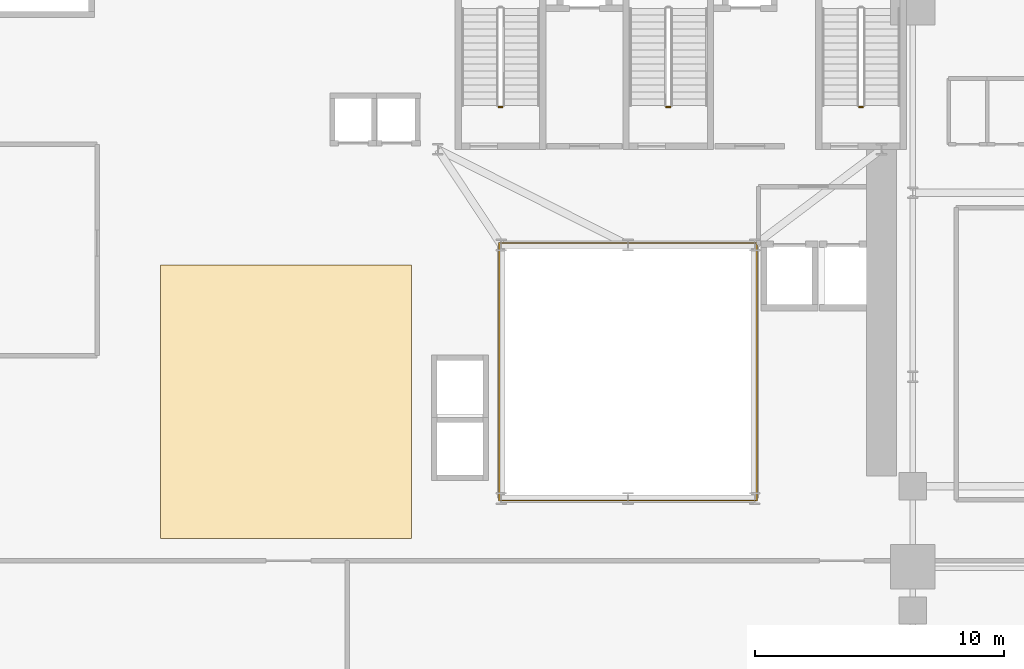
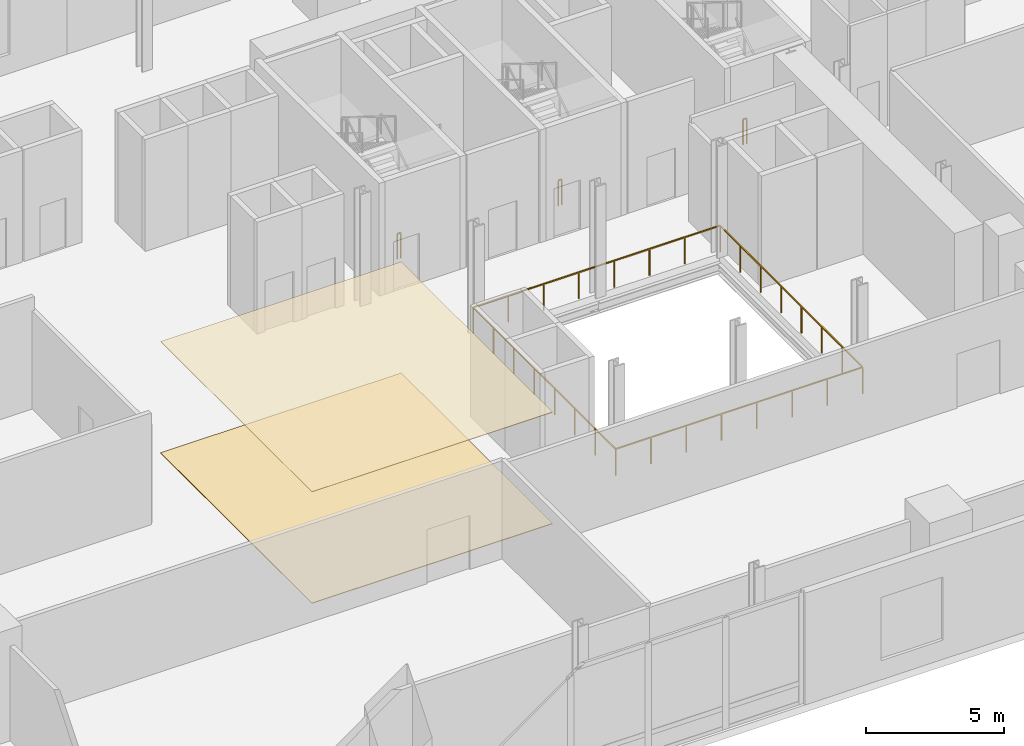
# One storey, part 11 of 13: 4 railings, 2 coverings.
"""IFC4 building model written with IfcOpenShell, lengths in metres."""

from ifc_helpers import new_model, si_unit, direction, frame, origin, origin_2d, place, context, subcontext, project, spatial, polyline, rectangle, outline, extrude, source, transform, mapped, material, layer, layer_set, type_object, element, save


model = new_model("IFC4")

# Units and contexts
model_context = context("Model", 3, precision=1e-05, world=origin(), true_north=direction((0.0, 1.0)))
body_context = subcontext(model_context, "Body", "Model", "MODEL_VIEW")
ifc_project = project(units=[si_unit("LENGTHUNIT", "METRE"), si_unit("AREAUNIT", "SQUARE_METRE"), si_unit("VOLUMEUNIT", "CUBIC_METRE"), si_unit("PLANEANGLEUNIT", "RADIAN"), si_unit("MASSUNIT", "GRAM", prefix="KILO")], contexts=[model_context])

# Site, building, storey
site_placement = place(None, origin())
site = spatial("IfcSite", under=ifc_project, at=site_placement, CompositionType="ELEMENT")
building_placement = place(site_placement, origin())
building = spatial("IfcBuilding", under=site, at=building_placement, Name="Vardaveli Station Tower", CompositionType="ELEMENT")
storey_placement = place(building_placement, frame((0.0, 0.0, 22.39990234375)))
storey = spatial("IfcBuildingStorey", under=building, at=storey_placement, Name="L05", CompositionType="ELEMENT", Elevation=22.39990234375)

# Coverings
ifc_material_1 = material(Name="Perforated acoustic mineral ceiling")
ifc_layer_1 = layer(ifc_material_1, 0.02001953125, Name="Perforated acoustic mineral ceiling")
ifc_layer_set_1 = layer_set([ifc_layer_1], Name="Perforated acoustic mineral ceiling")
covering_type_1 = type_object("IfcCoveringType", Name="COV-CEIL-AC20", PredefinedType="CEILING", material=ifc_layer_set_1)
covering_1_placement = place(storey_placement, frame((0.0, 0.0, 4.945068359375)))
element("IfcCovering", 1, at=covering_1_placement, inside=storey, type_object=covering_type_1, Name="CEIL-L05-1", PredefinedType="CEILING", context=body_context, shape_type="SweptSolid", body=[
    extrude(outline(polyline([(17.5, 15.0), (27.60009765625, 15.0), (27.60009765625, 26.0), (17.5, 26.0), (17.5, 15.0)])), origin(), (0.0, 0.0, 1.0), 0.02001953125),
])
ifc_material_2 = material(Name="Honed Caucasian basalt and travertine flooring", Category="masonry")
ifc_layer_2 = layer(ifc_material_2, 0.030029296875, Name="Honed Caucasian basalt and travertine flooring")
ifc_layer_set_2 = layer_set([ifc_layer_2], Name="Honed Caucasian basalt and travertine flooring")
covering_type_2 = type_object("IfcCoveringType", Name="COV-FLOOR-ST30", PredefinedType="FLOORING", material=ifc_layer_set_2)
covering_2_placement = place(storey_placement, origin())
element("IfcCovering", 2, at=covering_2_placement, inside=storey, type_object=covering_type_2, Name="FLR-L05-1", PredefinedType="FLOORING", context=body_context, shape_type="SweptSolid", body=[
    extrude(outline(polyline([(17.5, 15.0), (27.60009765625, 15.0), (27.60009765625, 26.0), (17.5, 26.0), (17.5, 15.0)])), origin(), (0.0, 0.0, 1.0), 0.030029296875),
])

# Railings
ifc_material_3 = material(Name="Brushed AISI 316 stainless steel", Category="steel")
railing_type_1 = type_object("IfcRailingType", Name="RL-GUARD-1150", PredefinedType="GUARDRAIL", material=ifc_material_3)
shared_shape_1 = source(origin(), body_context, "Body", "SweptSolid", [
    extrude(rectangle(XDim=0.048095703125, YDim=0.048095703125, at=origin_2d()), frame((0.0, 0.0, 1.1259765625), z_axis=(-1.0, 0.0, 0.0), x_axis=(0.0, -1.0, 0.0)), (0.0, 0.0, 1.0), 0.14990234375),
    extrude(rectangle(XDim=0.0419921875, YDim=0.0419921875, at=origin_2d()), origin(), (0.0, 0.0, 1.0), 1.101806640625),
    extrude(rectangle(XDim=0.0419921875, YDim=0.0419921875, at=origin_2d()), frame((-0.14990234375, 0.0, 0.0)), (0.0, 0.0, 1.0), 1.101806640625),
])
for number, where, name in (
    (3, (31.25, 32.35009765625, 0.0), "L05 ST-1 stair guard 4"),
    (4, (38.0, 32.35009765625, 0.0), "L05 ST-2 stair guard 4"),
    (5, (45.75, 32.35009765625, 0.0), "L05 ST-3 stair guard 4"),
):
    element("IfcRailing", number, at=place(storey_placement, frame(where)), inside=storey, type_object=railing_type_1, Name=name, PredefinedType="GUARDRAIL", context=body_context, shape_type="MappedRepresentation", body=[
        mapped(shared_shape_1, transform((0.0, 0.0, 0.0), scale=1.0)),
    ])
ifc_material_4 = material(Name="Laminated glass and stainless steel balustrade", Category="steel")
railing_type_2 = type_object("IfcRailingType", Name="RL-BAL-1200", PredefinedType="BALUSTRADE", material=ifc_material_4)
shared_shape_2 = source(origin(), body_context, "Body", "SweptSolid", [
    extrude(rectangle(XDim=0.048095703125, YDim=0.048095703125, at=origin_2d()), frame((0.0, 0.0, 1.17578125), z_axis=(1.0, 0.0, 0.0), x_axis=(0.0, 1.0, 0.0)), (0.0, 0.0, 1.0), 10.35986328125),
    extrude(rectangle(XDim=0.048095703125, YDim=0.048095703125, at=origin_2d()), frame((10.35986328125, 0.0, 1.17578125), z_axis=(0.0, 1.0, 0.0), x_axis=(-1.0, 0.0, 0.0)), (0.0, 0.0, 1.0), 10.35986328125),
    extrude(rectangle(XDim=0.048095703125, YDim=0.048095703125, at=origin_2d()), frame((10.35986328125, 10.35986328125, 1.17578125), z_axis=(-1.0, 0.0, 0.0), x_axis=(0.0, -1.0, 0.0)), (0.0, 0.0, 1.0), 10.35986328125),
    extrude(rectangle(XDim=0.048095703125, YDim=0.048095703125, at=origin_2d()), frame((0.0, 10.35986328125, 1.17578125), z_axis=(0.0, -1.0, 0.0), x_axis=(1.0, 0.0, 0.0)), (0.0, 0.0, 1.0), 10.35986328125),
    extrude(rectangle(XDim=0.0419921875, YDim=0.0419921875, at=origin_2d()), origin(), (0.0, 0.0, 1.0), 1.15185546875),
    extrude(rectangle(XDim=0.0419921875, YDim=0.0419921875, at=origin_2d()), frame((1.47998046875, 0.0, 0.0)), (0.0, 0.0, 1.0), 1.15185546875),
    extrude(rectangle(XDim=0.0419921875, YDim=0.0419921875, at=origin_2d()), frame((2.9599609375, 0.0, 0.0)), (0.0, 0.0, 1.0), 1.15185546875),
    extrude(rectangle(XDim=0.0419921875, YDim=0.0419921875, at=origin_2d()), frame((4.43994140625, 0.0, 0.0)), (0.0, 0.0, 1.0), 1.15185546875),
    extrude(rectangle(XDim=0.0419921875, YDim=0.0419921875, at=origin_2d()), frame((5.919921875, 0.0, 0.0)), (0.0, 0.0, 1.0), 1.15185546875),
    extrude(rectangle(XDim=0.0419921875, YDim=0.0419921875, at=origin_2d()), frame((7.39990234375, 0.0, 0.0)), (0.0, 0.0, 1.0), 1.15185546875),
    extrude(rectangle(XDim=0.0419921875, YDim=0.0419921875, at=origin_2d()), frame((8.8798828125, 0.0, 0.0)), (0.0, 0.0, 1.0), 1.15185546875),
    extrude(rectangle(XDim=0.0419921875, YDim=0.0419921875, at=origin_2d()), frame((10.35986328125, 0.0, 0.0)), (0.0, 0.0, 1.0), 1.15185546875),
    extrude(rectangle(XDim=0.0419921875, YDim=0.0419921875, at=origin_2d()), frame((10.35986328125, 1.47998046875, 0.0)), (0.0, 0.0, 1.0), 1.15185546875),
    extrude(rectangle(XDim=0.0419921875, YDim=0.0419921875, at=origin_2d()), frame((10.35986328125, 2.9599609375, 0.0)), (0.0, 0.0, 1.0), 1.15185546875),
    extrude(rectangle(XDim=0.0419921875, YDim=0.0419921875, at=origin_2d()), frame((10.35986328125, 4.43994140625, 0.0)), (0.0, 0.0, 1.0), 1.15185546875),
    extrude(rectangle(XDim=0.0419921875, YDim=0.0419921875, at=origin_2d()), frame((10.35986328125, 5.919921875, 0.0)), (0.0, 0.0, 1.0), 1.15185546875),
    extrude(rectangle(XDim=0.0419921875, YDim=0.0419921875, at=origin_2d()), frame((10.35986328125, 7.39990234375, 0.0)), (0.0, 0.0, 1.0), 1.15185546875),
    extrude(rectangle(XDim=0.0419921875, YDim=0.0419921875, at=origin_2d()), frame((10.35986328125, 8.8798828125, 0.0)), (0.0, 0.0, 1.0), 1.15185546875),
    extrude(rectangle(XDim=0.0419921875, YDim=0.0419921875, at=origin_2d()), frame((10.35986328125, 10.35986328125, 0.0)), (0.0, 0.0, 1.0), 1.15185546875),
    extrude(rectangle(XDim=0.0419921875, YDim=0.0419921875, at=origin_2d()), frame((8.8798828125, 10.35986328125, 0.0)), (0.0, 0.0, 1.0), 1.15185546875),
    extrude(rectangle(XDim=0.0419921875, YDim=0.0419921875, at=origin_2d()), frame((7.39990234375, 10.35986328125, 0.0)), (0.0, 0.0, 1.0), 1.15185546875),
    extrude(rectangle(XDim=0.0419921875, YDim=0.0419921875, at=origin_2d()), frame((5.919921875, 10.35986328125, 0.0)), (0.0, 0.0, 1.0), 1.15185546875),
    extrude(rectangle(XDim=0.0419921875, YDim=0.0419921875, at=origin_2d()), frame((4.43994140625, 10.35986328125, 0.0)), (0.0, 0.0, 1.0), 1.15185546875),
    extrude(rectangle(XDim=0.0419921875, YDim=0.0419921875, at=origin_2d()), frame((2.9599609375, 10.35986328125, 0.0)), (0.0, 0.0, 1.0), 1.15185546875),
    extrude(rectangle(XDim=0.0419921875, YDim=0.0419921875, at=origin_2d()), frame((1.47998046875, 10.35986328125, 0.0)), (0.0, 0.0, 1.0), 1.15185546875),
    extrude(rectangle(XDim=0.0419921875, YDim=0.0419921875, at=origin_2d()), frame((0.0, 10.35986328125, 0.0)), (0.0, 0.0, 1.0), 1.15185546875),
    extrude(rectangle(XDim=0.0419921875, YDim=0.0419921875, at=origin_2d()), frame((0.0, 8.8798828125, 0.0)), (0.0, 0.0, 1.0), 1.15185546875),
    extrude(rectangle(XDim=0.0419921875, YDim=0.0419921875, at=origin_2d()), frame((0.0, 7.39990234375, 0.0)), (0.0, 0.0, 1.0), 1.15185546875),
    extrude(rectangle(XDim=0.0419921875, YDim=0.0419921875, at=origin_2d()), frame((0.0, 5.919921875, 0.0)), (0.0, 0.0, 1.0), 1.15185546875),
    extrude(rectangle(XDim=0.0419921875, YDim=0.0419921875, at=origin_2d()), frame((0.0, 4.43994140625, 0.0)), (0.0, 0.0, 1.0), 1.15185546875),
    extrude(rectangle(XDim=0.0419921875, YDim=0.0419921875, at=origin_2d()), frame((0.0, 2.9599609375, 0.0)), (0.0, 0.0, 1.0), 1.15185546875),
    extrude(rectangle(XDim=0.0419921875, YDim=0.0419921875, at=origin_2d()), frame((0.0, 1.47998046875, 0.0)), (0.0, 0.0, 1.0), 1.15185546875),
])
railing_placement = place(storey_placement, frame((31.1201171875, 16.52001953125, 0.0)))
element("IfcRailing", 6, at=railing_placement, inside=storey, type_object=railing_type_2, Name="RL-ATR-L05", PredefinedType="BALUSTRADE", context=body_context, shape_type="MappedRepresentation", body=[
    mapped(shared_shape_2, transform((0.0, 0.0, 0.0), scale=1.0)),
])

save(model, "model.ifc")
